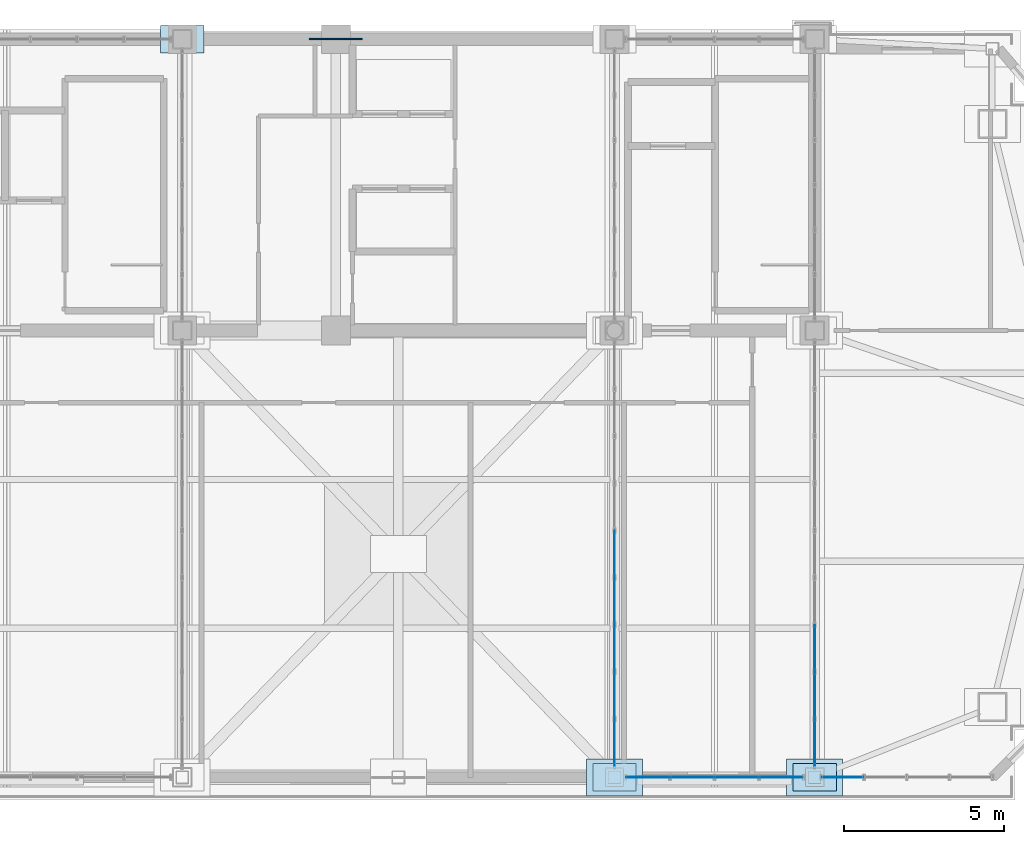
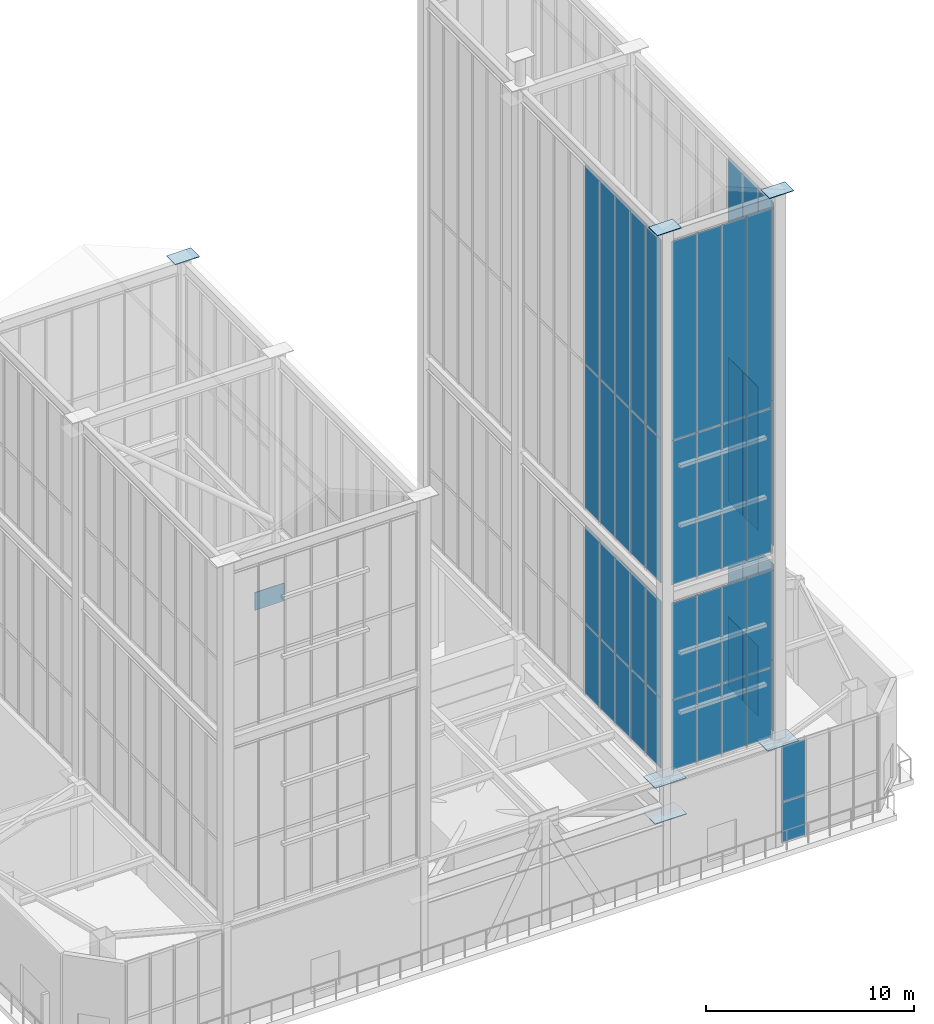
# One storey, part 127 of 135: 57 plates, 7 elements without a shape of their own.
"""IFC4 building model written with IfcOpenShell, lengths in metres."""

import ifcopenshell
import ifcopenshell.guid

model = None  # the IFC model being written
_history = None  # IfcOwnerHistory: only IFC2X3 demands one
_inside = {}  # id of a spatial element -> (the spatial element, [elements in it])
_under = {}  # id of a project, library or spatial element -> (it, [spatial elements below it])
_declared = {}  # id of a project -> (the project, [libraries it declares])
_typed = {}  # id of a type object -> (the type object, [elements of that type])
_made_of = {}  # id of a material, layer set ... -> (it, [elements and type objects made of it])


def new_model(schema):
    """Start an empty IFC model of exactly this schema.

    Asked for "IFC4X3", IfcOpenShell would pick the latest addendum, in which some entities
    have other attributes; the version numbers below select the first issue.
    IFC2X3 requires an IfcOwnerHistory on every rooted entity: one is made here for all.
    """
    global model, _history
    if schema == "IFC4X3":
        model = ifcopenshell.file(schema_version=(4, 3, 0, 0))
    else:
        model = ifcopenshell.file(schema=schema)
    _inside.clear()
    _under.clear()
    _declared.clear()
    _typed.clear()
    _made_of.clear()
    _history = None
    if model.schema == "IFC2X3":
        org = make("IfcOrganization", Name="unknown")
        user = make(
            "IfcPersonAndOrganization",
            ThePerson=make("IfcPerson", FamilyName="unknown"),
            TheOrganization=org,
        )
        app = make(
            "IfcApplication",
            ApplicationDeveloper=org,
            Version="unknown",
            ApplicationFullName="unknown",
            ApplicationIdentifier="unknown",
        )
        _history = make(
            "IfcOwnerHistory",
            OwningUser=user,
            OwningApplication=app,
            ChangeAction="ADDED",
            CreationDate=0,
        )
    return model


def make(cls, **values):
    """One entity of the class cls with the attributes given. An attribute that is None is left unset."""
    return model.create_entity(
        cls, **{name: value for name, value in values.items() if value is not None}
    )


def rooted(cls, **values):
    """An entity with a GlobalId (a new one), such as an element, a storey or a relation."""
    return make(cls, GlobalId=ifcopenshell.guid.new(), OwnerHistory=_history, **values)


def si_unit(unit_type, name, prefix=None):
    """IfcSIUnit, for example si_unit("LENGTHUNIT", "METRE", prefix="MILLI")."""
    return make("IfcSIUnit", UnitType=unit_type, Prefix=prefix, Name=name)


def assignment(units):
    """IfcUnitAssignment: the units of a project."""
    return None if units is None else make("IfcUnitAssignment", Units=units)


def point(xyz):
    """IfcCartesianPoint."""
    return None if xyz is None else make("IfcCartesianPoint", Coordinates=xyz)


def direction(xyz):
    """IfcDirection."""
    return None if xyz is None else make("IfcDirection", DirectionRatios=xyz)


def frame(location, z_axis=None, x_axis=None):
    """IfcAxis2Placement3D, a coordinate frame: its origin and axes. An axis left out is left unset."""
    return make(
        "IfcAxis2Placement3D",
        Location=point(location),
        Axis=direction(z_axis),
        RefDirection=direction(x_axis),
    )


def frame_2d(location, x_axis=None):
    """IfcAxis2Placement2D, a coordinate frame in the plane: its origin and x axis."""
    return make(
        "IfcAxis2Placement2D", Location=point(location), RefDirection=direction(x_axis)
    )


def origin():
    """The frame at (0, 0, 0) with its axes left unset."""
    return frame((0.0, 0.0, 0.0))


def origin_2d():
    """The frame at (0, 0) in the plane with its x axis left unset."""
    return frame_2d((0.0, 0.0))


def place(relative_to, where):
    """IfcLocalPlacement: puts the frame where relative to a parent placement (None: the world)."""
    return make(
        "IfcLocalPlacement", PlacementRelTo=relative_to, RelativePlacement=where
    )


def context(
    kind, dimensions, precision=None, world=None, true_north=None, identifier=None
):
    """IfcGeometricRepresentationContext, for example the 3D "Model" context."""
    return make(
        "IfcGeometricRepresentationContext",
        ContextIdentifier=identifier,
        ContextType=kind,
        CoordinateSpaceDimension=dimensions,
        Precision=precision,
        WorldCoordinateSystem=world,
        TrueNorth=true_north,
    )


def subcontext(parent, identifier, kind, view, scale=None):
    """IfcGeometricRepresentationSubContext, for example "Body" below "Model"."""
    return make(
        "IfcGeometricRepresentationSubContext",
        ContextIdentifier=identifier,
        ContextType=kind,
        ParentContext=parent,
        TargetScale=scale,
        TargetView=view,
    )


def project(units=None, contexts=None):
    """IfcProject with its units and contexts."""
    return rooted(
        "IfcProject",
        Name="project",
        RepresentationContexts=contexts,
        UnitsInContext=assignment(units),
    )


def spatial(cls, under=None, at=None, **own):
    """A site, building, storey or space (cls), placed at a placement, below another one or the project."""
    s = rooted(cls, ObjectPlacement=at, **own)
    if under is not None:
        _under.setdefault(under.id(), (under, []))[1].append(s)
    return s


def profile(cls, at=None, kind="AREA", **sizes):
    """A parametric profile (cls). Its sizes go by their IFC names, for example OverallWidth=200.0."""
    return make(cls, ProfileType=kind, Position=at, **sizes)


def rectangle(**sizes):
    """IfcRectangleProfileDef."""
    return profile("IfcRectangleProfileDef", **sizes)


def extrude(swept, where, along, depth):
    """IfcExtrudedAreaSolid: the profile swept, set in the frame where, extruded along a direction by depth."""
    return make(
        "IfcExtrudedAreaSolid",
        SweptArea=swept,
        Position=where,
        ExtrudedDirection=direction(along),
        Depth=depth,
    )


def shape(context_of_items, identifier, shape_type, items):
    """IfcShapeRepresentation: the items that make up one representation, for example the "Body"."""
    return make(
        "IfcShapeRepresentation",
        ContextOfItems=context_of_items,
        RepresentationIdentifier=identifier,
        RepresentationType=shape_type,
        Items=items,
    )


def source(mapping_origin, context_of_items, identifier, shape_type, items):
    """IfcRepresentationMap: a shape defined once, which mapped items show again and again."""
    return make(
        "IfcRepresentationMap",
        MappingOrigin=mapping_origin,
        MappedRepresentation=shape(context_of_items, identifier, shape_type, items),
    )


def transform(
    local_origin,
    x_axis=None,
    y_axis=None,
    z_axis=None,
    scale=None,
    scale2=None,
    scale3=None,
    uniform=True,
):
    """IfcCartesianTransformationOperator3D, or its non-uniform kind. x_axis, y_axis, z_axis: its Axis1, 2, 3."""
    if uniform:
        return make(
            "IfcCartesianTransformationOperator3D",
            Axis1=direction(x_axis),
            Axis2=direction(y_axis),
            LocalOrigin=point(local_origin),
            Scale=scale,
            Axis3=direction(z_axis),
        )
    return make(
        "IfcCartesianTransformationOperator3DnonUniform",
        Axis1=direction(x_axis),
        Axis2=direction(y_axis),
        LocalOrigin=point(local_origin),
        Scale=scale,
        Axis3=direction(z_axis),
        Scale2=scale2,
        Scale3=scale3,
    )


def mapped(mapping_source, mapping_target):
    """IfcMappedItem: shows the shape of a source again, moved by a transform."""
    return make(
        "IfcMappedItem", MappingSource=mapping_source, MappingTarget=mapping_target
    )


def material(Name=None, Category=None):
    """IfcMaterial."""
    return make("IfcMaterial", Name=Name, Category=Category)


def layer(
    of_material, thickness, ventilated=None, Name=None, Category=None, Priority=None
):
    """IfcMaterialLayer: one layer of a wall or slab, of a material (None: an air gap)."""
    return make(
        "IfcMaterialLayer",
        Material=of_material,
        LayerThickness=thickness,
        IsVentilated=ventilated,
        Name=Name,
        Category=Category,
        Priority=Priority,
    )


def layer_set(layers, Name=None):
    """IfcMaterialLayerSet."""
    return make("IfcMaterialLayerSet", MaterialLayers=layers, LayerSetName=Name)


def made_of(thing, what):
    """Note that an element or type object is made of a material, layer set ...; save() writes the relation."""
    if what is not None:
        _made_of.setdefault(what.id(), (what, []))[1].append(thing)
    return thing


def type_object(cls, material=None, **own):
    """A type object (cls), such as IfcWallType, which elements share."""
    return made_of(rooted(cls, **own), material)


def element(
    cls,
    number,
    at=None,
    inside=None,
    cuts=None,
    type_object=None,
    material=None,
    context=None,
    identifier="Body",
    shape_type=None,
    held_by="IfcProductDefinitionShape",
    body=None,
    shapes=None,
    **own,
):
    """One element of the class cls, such as IfcWall. Its Tag is "e" and its number.

    at: its placement. inside: the storey or other place that contains it. cuts: it is an
    opening in that element (IfcRelVoidsElement). A single representation is given by context,
    identifier, shape_type and body (its items); several are given by shapes. held_by: the class
    of the entity that holds the representations. save() writes the other relations.
    """
    e = rooted(cls, Tag="e%d" % number, ObjectPlacement=at, **own)
    if body is not None:
        shapes = [shape(context, identifier, shape_type, body)]
    if shapes is not None:
        e.Representation = make(held_by, Representations=shapes)
    if inside is not None:
        _inside.setdefault(inside.id(), (inside, []))[1].append(e)
    if cuts is not None:
        rooted(
            "IfcRelVoidsElement", RelatingBuildingElement=cuts, RelatedOpeningElement=e
        )
    if type_object is not None:
        _typed.setdefault(type_object.id(), (type_object, []))[1].append(e)
    return made_of(e, material)


def aggregate(whole, parts):
    """IfcRelAggregates: a whole, such as a stair, and the parts it consists of."""
    return rooted("IfcRelAggregates", RelatingObject=whole, RelatedObjects=parts)


def save(model, path):
    """Write the relations noted so far, then the file.

    IfcRelAggregates (storeys below a building ...), IfcRelContainedInSpatialStructure (elements
    in a storey), IfcRelDefinesByType, IfcRelAssociatesMaterial and IfcRelDeclares: one each for
    every whole, place, type object, material and project.
    """
    for whole, parts in _under.values():
        aggregate(whole, parts)
    for where, things in _inside.values():
        rooted(
            "IfcRelContainedInSpatialStructure",
            RelatedElements=things,
            RelatingStructure=where,
        )
    for kind, things in _typed.values():
        rooted("IfcRelDefinesByType", RelatedObjects=things, RelatingType=kind)
    for what, things in _made_of.values():
        rooted("IfcRelAssociatesMaterial", RelatedObjects=things, RelatingMaterial=what)
    for by, libraries in _declared.values():
        rooted("IfcRelDeclares", RelatingContext=by, RelatedDefinitions=libraries)
    model.write(path)


model = new_model("IFC4")

# Units and contexts
model_context = context("Model", 3, precision=1e-05, world=origin(), true_north=direction((0.0, 1.0)))
body_context = subcontext(model_context, "Body", "Model", "MODEL_VIEW")
ifc_project = project(units=[si_unit("LENGTHUNIT", "METRE"), si_unit("AREAUNIT", "SQUARE_METRE"), si_unit("VOLUMEUNIT", "CUBIC_METRE"), si_unit("PLANEANGLEUNIT", "RADIAN"), si_unit("MASSUNIT", "GRAM", prefix="KILO")], contexts=[model_context])

# Site, building, storey
site_placement = place(None, origin())
site = spatial("IfcSite", under=ifc_project, at=site_placement, CompositionType="ELEMENT")
building_placement = place(site_placement, origin())
building = spatial("IfcBuilding", under=site, at=building_placement, Name="Giltprow Tower", CompositionType="ELEMENT")
storey_placement = place(building_placement, frame((0.0, 0.0, 352.699951171875)))
storey = spatial("IfcBuildingStorey", under=building, at=storey_placement, Name="L92", CompositionType="ELEMENT", Elevation=352.699951171875)

# Plates
ifc_material_1 = material(Name="Structural steel Q420GJC", Category="steel")
plate_type_1 = type_object("IfcPlateType", Name="PLT-CAP-SEAL-INT", PredefinedType="USERDEFINED", material=ifc_material_1)
shared_shape_1 = source(origin(), body_context, "Body", "SweptSolid", [
    extrude(rectangle(XDim=1.75, YDim=1.14990234375, at=origin_2d()), origin(), (0.0, 0.0, 1.0), 0.0400390625),
])
for number, where, z_axis, x_axis, name in (
    (1, (44.300048828125, 23.5, 6.14013671875), (0.0, 0.0, 1.0), (1.0, 0.0, 0.0), "L92 Column Top Seal Plate S3"),
    (2, (50.550048828125, 23.5, 6.14013671875), (0.0, 0.0, 1.0), (1.0, 0.0, 0.0), "L92 Column Top Seal Plate S4"),
    (3, (44.300048828125, 23.5, 4.030029296875), (0.0, 0.0, 1.0), (1.0, 0.0, 0.0), "TMD Strut Upper Seal 2"),
):
    element("IfcPlate", number, at=place(storey_placement, frame(where, z_axis=z_axis, x_axis=x_axis)), inside=storey, type_object=plate_type_1, Name=name, ObjectType="SPLICE", PredefinedType="USERDEFINED", context=body_context, shape_type="MappedRepresentation", body=[
        mapped(shared_shape_1, transform((0.0, 0.0, 0.0), x_axis=(1.0, 0.0, 0.0), y_axis=(0.0, 1.0, 0.0), z_axis=(0.0, 0.0, 1.0), scale=1.0)),
    ])
plate_type_2 = type_object("IfcPlateType", Name="PLT-NODE-MBN2", PredefinedType="USERDEFINED", material=ifc_material_1)
shared_shape_2 = source(origin(), body_context, "Body", "SweptSolid", [
    extrude(rectangle(XDim=1.64990234375, YDim=0.044921875, at=origin_2d()), origin(), (0.0, 0.0, 1.0), 1.050048828125),
])
plate_1_placement = place(storey_placement, frame((35.60009765625, 46.550048828125, 5.3349609375), z_axis=(0.0, 0.0, 1.0), x_axis=(1.0, 0.0, 0.0)))
element("IfcPlate", 4, at=plate_1_placement, inside=storey, type_object=plate_type_2, Name="Mega-Brace Node L92-N-LB", ObjectType="GUSSET", PredefinedType="USERDEFINED", context=body_context, shape_type="MappedRepresentation", body=[
    mapped(shared_shape_2, transform((0.0, 0.0, 0.0), x_axis=(1.0, 0.0, 0.0), y_axis=(0.0, 1.0, 0.0), z_axis=(0.0, 0.0, 1.0), scale=1.0)),
])
plate_type_3 = type_object("IfcPlateType", Name="PLT-NODE-CRN1", PredefinedType="USERDEFINED", material=ifc_material_1)
shared_shape_3 = source(origin(), body_context, "Body", "SweptSolid", [
    extrude(rectangle(XDim=1.35009765625, YDim=0.85009765625, at=origin_2d()), origin(), (0.0, 0.0, 1.0), 0.035888671875),
])
for number, where, z_axis, x_axis, name in (
    (5, (30.800048828125, 46.550048828125, 27.529296875), (0.0, 0.0, 1.0), (1.0, 0.0, 0.0), "CRN1 Crown Frame Ring Node WEST-4"),
    (6, (44.300048828125, 23.5, 38.47802734375), (0.0, 0.0, 1.0), (1.0, 0.0, 0.0), "CRN1 Crown Frame Ring Node EAST-1"),
    (7, (50.550048828125, 23.5, 38.47802734375), (0.0, 0.0, 1.0), (1.0, 0.0, 0.0), "CRN1 Crown Frame Ring Node EAST-2"),
):
    element("IfcPlate", number, at=place(storey_placement, frame(where, z_axis=z_axis, x_axis=x_axis)), inside=storey, type_object=plate_type_3, Name=name, ObjectType="SPLICE", PredefinedType="USERDEFINED", context=body_context, shape_type="MappedRepresentation", body=[
        mapped(shared_shape_3, transform((0.0, 0.0, 0.0), x_axis=(1.0, 0.0, 0.0), y_axis=(0.0, 1.0, 0.0), z_axis=(0.0, 0.0, 1.0), scale=1.0)),
    ])

# Curtain wall, plates
ifc_material_2 = material(Name="Anodized bronze", Category="metal")
ifc_layer = layer(ifc_material_2, 0.179931640625, Name="Anodized bronze")
ifc_layer_set = layer_set([ifc_layer], Name="Anodized bronze")
curtain_wall_type = type_object("IfcCurtainWallType", Name="CW-CROWN-LANTERN", PredefinedType="NOTDEFINED", material=ifc_layer_set)
curtain_wall_1_placement = place(storey_placement, origin())
curtain_wall_1 = element("IfcCurtainWall", 8, at=curtain_wall_1_placement, inside=storey, type_object=curtain_wall_type, Name="L92 South Recessed Curtain Wall 6", PredefinedType="NOTDEFINED")
ifc_material_3 = material(Name="Insulated glass", Category="glass")
plate_type_4 = type_object("IfcPlateType", Name="CW-PANEL-IGU-28", PredefinedType="CURTAIN_PANEL", material=ifc_material_3)
shared_shape_4 = source(origin(), body_context, "Body", "SweptSolid", [
    extrude(rectangle(XDim=1.30810546875, YDim=0.028076171875, at=origin_2d()), origin(), (0.0, 0.0, 1.0), 2.364013671875),
])
plate_2_placement = place(storey_placement, frame((51.4189453125, 23.5, 0.05419921875), z_axis=(0.0, 0.0, 1.0), x_axis=(1.0, 0.0, 0.0)))
plate_2 = element("IfcPlate", 9, at=plate_2_placement, type_object=plate_type_4, Name="L92 South Recessed Curtain Wall 6 Glazing Panel 1-1", PredefinedType="CURTAIN_PANEL", context=body_context, shape_type="MappedRepresentation", body=[
    mapped(shared_shape_4, transform((0.0, 0.0, 0.0), x_axis=(1.0, 0.0, 0.0), y_axis=(0.0, 1.0, 0.0), z_axis=(0.0, 0.0, 1.0), scale=1.0)),
])
shared_shape_5 = source(origin(), body_context, "Body", "SweptSolid", [
    extrude(rectangle(XDim=1.30810546875, YDim=0.028076171875, at=origin_2d()), origin(), (0.0, 0.0, 1.0), 3.2900390625),
])
plate_3_placement = place(storey_placement, frame((51.4189453125, 23.5, 2.446044921875), z_axis=(0.0, 0.0, 1.0), x_axis=(1.0, 0.0, 0.0)))
plate_3 = element("IfcPlate", 10, at=plate_3_placement, type_object=plate_type_4, Name="L92 South Recessed Curtain Wall 6 Glazing Panel 1-2", PredefinedType="CURTAIN_PANEL", context=body_context, shape_type="MappedRepresentation", body=[
    mapped(shared_shape_5, transform((0.0, 0.0, 0.0), x_axis=(1.0, 0.0, 0.0), y_axis=(0.0, 1.0, 0.0), z_axis=(0.0, 0.0, 1.0), scale=1.0)),
])
aggregate(curtain_wall_1, [plate_2, plate_3])

curtain_wall_2_placement = place(storey_placement, origin())
curtain_wall_2 = element("IfcCurtainWall", 11, at=curtain_wall_2_placement, inside=storey, type_object=curtain_wall_type, Name="Crown East Lower Lantern Glazing 2", PredefinedType="NOTDEFINED")
shared_shape_6 = source(origin(), body_context, "Body", "SweptSolid", [
    extrude(rectangle(XDim=1.44189453125, YDim=0.028076171875, at=origin_2d()), origin(), (0.0, 0.0, 1.0), 4.111083984375),
])
plate_4_placement = place(storey_placement, frame((50.550048828125, 24.5859375, 6.45361328125), z_axis=(0.0, 0.0, 1.0), x_axis=(0.0, 1.0, 0.0)))
plate_4 = element("IfcPlate", 12, at=plate_4_placement, type_object=plate_type_4, Name="Crown East Lower Lantern Glazing 2 Glazing Panel 1-1", PredefinedType="CURTAIN_PANEL", context=body_context, shape_type="MappedRepresentation", body=[
    mapped(shared_shape_6, transform((0.0, 0.0, 0.0), x_axis=(1.0, 0.0, 0.0), y_axis=(0.0, 1.0, 0.0), z_axis=(0.0, 0.0, 1.0), scale=1.0)),
])
plate_5_placement = place(storey_placement, frame((50.550048828125, 26.05810546875, 6.45361328125), z_axis=(0.0, 0.0, 1.0), x_axis=(0.0, 1.0, 0.0)))
plate_5 = element("IfcPlate", 13, at=plate_5_placement, type_object=plate_type_4, Name="Crown East Lower Lantern Glazing 2 Glazing Panel 2-1", PredefinedType="CURTAIN_PANEL", context=body_context, shape_type="MappedRepresentation", body=[
    mapped(shared_shape_6, transform((0.0, 0.0, 0.0), x_axis=(1.0, 0.0, 0.0), y_axis=(0.0, 1.0, 0.0), z_axis=(0.0, 0.0, 1.0), scale=1.0)),
])
plate_6_placement = place(storey_placement, frame((50.550048828125, 27.531005859375, 6.45361328125), z_axis=(0.0, 0.0, 1.0), x_axis=(0.0, 1.0, 0.0)))
plate_6 = element("IfcPlate", 14, at=plate_6_placement, type_object=plate_type_4, Name="Crown East Lower Lantern Glazing 2 Glazing Panel 3-1", PredefinedType="CURTAIN_PANEL", context=body_context, shape_type="MappedRepresentation", body=[
    mapped(shared_shape_6, transform((0.0, 0.0, 0.0), x_axis=(1.0, 0.0, 0.0), y_axis=(0.0, 1.0, 0.0), z_axis=(0.0, 0.0, 1.0), scale=1.0)),
])

curtain_wall_3_placement = place(storey_placement, origin())
curtain_wall_3 = element("IfcCurtainWall", 15, at=curtain_wall_3_placement, inside=storey, type_object=curtain_wall_type, Name="Crown East Lower Lantern Glazing 6", PredefinedType="NOTDEFINED")
plate_7_placement = place(storey_placement, frame((44.300048828125, 30.47509765625, 6.45361328125), z_axis=(0.0, 0.0, 1.0), x_axis=(0.0, -1.0, 0.0)))
plate_7 = element("IfcPlate", 16, at=plate_7_placement, type_object=plate_type_4, Name="Crown East Lower Lantern Glazing 6 Glazing Panel 5-1", PredefinedType="CURTAIN_PANEL", context=body_context, shape_type="MappedRepresentation", body=[
    mapped(shared_shape_6, transform((0.0, 0.0, 0.0), x_axis=(1.0, 0.0, 0.0), y_axis=(0.0, 1.0, 0.0), z_axis=(0.0, 0.0, 1.0), scale=1.0)),
])
plate_8_placement = place(storey_placement, frame((44.300048828125, 29.0029296875, 6.45361328125), z_axis=(0.0, 0.0, 1.0), x_axis=(0.0, -1.0, 0.0)))
plate_8 = element("IfcPlate", 17, at=plate_8_placement, type_object=plate_type_4, Name="Crown East Lower Lantern Glazing 6 Glazing Panel 6-1", PredefinedType="CURTAIN_PANEL", context=body_context, shape_type="MappedRepresentation", body=[
    mapped(shared_shape_6, transform((0.0, 0.0, 0.0), x_axis=(1.0, 0.0, 0.0), y_axis=(0.0, 1.0, 0.0), z_axis=(0.0, 0.0, 1.0), scale=1.0)),
])
plate_9_placement = place(storey_placement, frame((44.300048828125, 27.531005859375, 6.45361328125), z_axis=(0.0, 0.0, 1.0), x_axis=(0.0, -1.0, 0.0)))
plate_9 = element("IfcPlate", 18, at=plate_9_placement, type_object=plate_type_4, Name="Crown East Lower Lantern Glazing 6 Glazing Panel 7-1", PredefinedType="CURTAIN_PANEL", context=body_context, shape_type="MappedRepresentation", body=[
    mapped(shared_shape_6, transform((0.0, 0.0, 0.0), x_axis=(1.0, 0.0, 0.0), y_axis=(0.0, 1.0, 0.0), z_axis=(0.0, 0.0, 1.0), scale=1.0)),
])
plate_10_placement = place(storey_placement, frame((44.300048828125, 26.05810546875, 6.45361328125), z_axis=(0.0, 0.0, 1.0), x_axis=(0.0, -1.0, 0.0)))
plate_10 = element("IfcPlate", 19, at=plate_10_placement, type_object=plate_type_4, Name="Crown East Lower Lantern Glazing 6 Glazing Panel 8-1", PredefinedType="CURTAIN_PANEL", context=body_context, shape_type="MappedRepresentation", body=[
    mapped(shared_shape_6, transform((0.0, 0.0, 0.0), x_axis=(1.0, 0.0, 0.0), y_axis=(0.0, 1.0, 0.0), z_axis=(0.0, 0.0, 1.0), scale=1.0)),
])
plate_11_placement = place(storey_placement, frame((44.300048828125, 24.5859375, 6.45361328125), z_axis=(0.0, 0.0, 1.0), x_axis=(0.0, -1.0, 0.0)))
plate_11 = element("IfcPlate", 20, at=plate_11_placement, type_object=plate_type_4, Name="Crown East Lower Lantern Glazing 6 Glazing Panel 9-1", PredefinedType="CURTAIN_PANEL", context=body_context, shape_type="MappedRepresentation", body=[
    mapped(shared_shape_6, transform((0.0, 0.0, 0.0), x_axis=(1.0, 0.0, 0.0), y_axis=(0.0, 1.0, 0.0), z_axis=(0.0, 0.0, 1.0), scale=1.0)),
])

# Plate
shared_shape_7 = source(origin(), body_context, "Body", "SweptSolid", [
    extrude(rectangle(XDim=1.44189453125, YDim=0.028076171875, at=origin_2d()), origin(), (0.0, 0.0, 1.0), 5.702880859375),
])
plate_12_placement = place(storey_placement, frame((50.550048828125, 24.5859375, 10.5927734375), z_axis=(0.0, 0.0, 1.0), x_axis=(0.0, 1.0, 0.0)))
plate_12 = element("IfcPlate", 21, at=plate_12_placement, type_object=plate_type_4, Name="Crown East Lower Lantern Glazing 2 Glazing Panel 1-2", PredefinedType="CURTAIN_PANEL", context=body_context, shape_type="MappedRepresentation", body=[
    mapped(shared_shape_7, transform((0.0, 0.0, 0.0), x_axis=(1.0, 0.0, 0.0), y_axis=(0.0, 1.0, 0.0), z_axis=(0.0, 0.0, 1.0), scale=1.0)),
])

plate_13_placement = place(storey_placement, frame((50.550048828125, 26.05810546875, 10.5927734375), z_axis=(0.0, 0.0, 1.0), x_axis=(0.0, 1.0, 0.0)))
plate_13 = element("IfcPlate", 22, at=plate_13_placement, type_object=plate_type_4, Name="Crown East Lower Lantern Glazing 2 Glazing Panel 2-2", PredefinedType="CURTAIN_PANEL", context=body_context, shape_type="MappedRepresentation", body=[
    mapped(shared_shape_7, transform((0.0, 0.0, 0.0), x_axis=(1.0, 0.0, 0.0), y_axis=(0.0, 1.0, 0.0), z_axis=(0.0, 0.0, 1.0), scale=1.0)),
])

plate_14_placement = place(storey_placement, frame((50.550048828125, 27.531005859375, 10.5927734375), z_axis=(0.0, 0.0, 1.0), x_axis=(0.0, 1.0, 0.0)))
plate_14 = element("IfcPlate", 23, at=plate_14_placement, type_object=plate_type_4, Name="Crown East Lower Lantern Glazing 2 Glazing Panel 3-2", PredefinedType="CURTAIN_PANEL", context=body_context, shape_type="MappedRepresentation", body=[
    mapped(shared_shape_7, transform((0.0, 0.0, 0.0), x_axis=(1.0, 0.0, 0.0), y_axis=(0.0, 1.0, 0.0), z_axis=(0.0, 0.0, 1.0), scale=1.0)),
])

aggregate(curtain_wall_2, [plate_4, plate_12, plate_5, plate_13, plate_6, plate_14])

plate_15_placement = place(storey_placement, frame((44.300048828125, 30.47509765625, 10.5927734375), z_axis=(0.0, 0.0, 1.0), x_axis=(0.0, -1.0, 0.0)))
plate_15 = element("IfcPlate", 24, at=plate_15_placement, type_object=plate_type_4, Name="Crown East Lower Lantern Glazing 6 Glazing Panel 5-2", PredefinedType="CURTAIN_PANEL", context=body_context, shape_type="MappedRepresentation", body=[
    mapped(shared_shape_7, transform((0.0, 0.0, 0.0), x_axis=(1.0, 0.0, 0.0), y_axis=(0.0, 1.0, 0.0), z_axis=(0.0, 0.0, 1.0), scale=1.0)),
])

plate_16_placement = place(storey_placement, frame((44.300048828125, 29.0029296875, 10.5927734375), z_axis=(0.0, 0.0, 1.0), x_axis=(0.0, -1.0, 0.0)))
plate_16 = element("IfcPlate", 25, at=plate_16_placement, type_object=plate_type_4, Name="Crown East Lower Lantern Glazing 6 Glazing Panel 6-2", PredefinedType="CURTAIN_PANEL", context=body_context, shape_type="MappedRepresentation", body=[
    mapped(shared_shape_7, transform((0.0, 0.0, 0.0), x_axis=(1.0, 0.0, 0.0), y_axis=(0.0, 1.0, 0.0), z_axis=(0.0, 0.0, 1.0), scale=1.0)),
])

plate_17_placement = place(storey_placement, frame((44.300048828125, 27.531005859375, 10.5927734375), z_axis=(0.0, 0.0, 1.0), x_axis=(0.0, -1.0, 0.0)))
plate_17 = element("IfcPlate", 26, at=plate_17_placement, type_object=plate_type_4, Name="Crown East Lower Lantern Glazing 6 Glazing Panel 7-2", PredefinedType="CURTAIN_PANEL", context=body_context, shape_type="MappedRepresentation", body=[
    mapped(shared_shape_7, transform((0.0, 0.0, 0.0), x_axis=(1.0, 0.0, 0.0), y_axis=(0.0, 1.0, 0.0), z_axis=(0.0, 0.0, 1.0), scale=1.0)),
])

plate_18_placement = place(storey_placement, frame((44.300048828125, 26.05810546875, 10.5927734375), z_axis=(0.0, 0.0, 1.0), x_axis=(0.0, -1.0, 0.0)))
plate_18 = element("IfcPlate", 27, at=plate_18_placement, type_object=plate_type_4, Name="Crown East Lower Lantern Glazing 6 Glazing Panel 8-2", PredefinedType="CURTAIN_PANEL", context=body_context, shape_type="MappedRepresentation", body=[
    mapped(shared_shape_7, transform((0.0, 0.0, 0.0), x_axis=(1.0, 0.0, 0.0), y_axis=(0.0, 1.0, 0.0), z_axis=(0.0, 0.0, 1.0), scale=1.0)),
])

plate_19_placement = place(storey_placement, frame((44.300048828125, 24.5859375, 10.5927734375), z_axis=(0.0, 0.0, 1.0), x_axis=(0.0, -1.0, 0.0)))
plate_19 = element("IfcPlate", 28, at=plate_19_placement, type_object=plate_type_4, Name="Crown East Lower Lantern Glazing 6 Glazing Panel 9-2", PredefinedType="CURTAIN_PANEL", context=body_context, shape_type="MappedRepresentation", body=[
    mapped(shared_shape_7, transform((0.0, 0.0, 0.0), x_axis=(1.0, 0.0, 0.0), y_axis=(0.0, 1.0, 0.0), z_axis=(0.0, 0.0, 1.0), scale=1.0)),
])

aggregate(curtain_wall_3, [plate_7, plate_15, plate_8, plate_16, plate_9, plate_17, plate_10, plate_18, plate_11, plate_19])

# Curtain wall, plates
curtain_wall_4_placement = place(storey_placement, origin())
curtain_wall_4 = element("IfcCurtainWall", 29, at=curtain_wall_4_placement, inside=storey, type_object=curtain_wall_type, Name="Crown East Lower Lantern Glazing 1", PredefinedType="NOTDEFINED")
shared_shape_8 = source(origin(), body_context, "Body", "SweptSolid", [
    extrude(rectangle(XDim=1.35791015625, YDim=0.028076171875, at=origin_2d()), origin(), (0.0, 0.0, 1.0), 4.111083984375),
])
plate_20_placement = place(storey_placement, frame((45.343994140625, 23.5, 6.45361328125), z_axis=(0.0, 0.0, 1.0), x_axis=(1.0, 0.0, 0.0)))
plate_20 = element("IfcPlate", 30, at=plate_20_placement, type_object=plate_type_4, Name="Crown East Lower Lantern Glazing 1 Glazing Panel 1-1", PredefinedType="CURTAIN_PANEL", context=body_context, shape_type="MappedRepresentation", body=[
    mapped(shared_shape_8, transform((0.0, 0.0, 0.0), x_axis=(1.0, 0.0, 0.0), y_axis=(0.0, 1.0, 0.0), z_axis=(0.0, 0.0, 1.0), scale=1.0)),
])
plate_21_placement = place(storey_placement, frame((46.73095703125, 23.5, 6.45361328125), z_axis=(0.0, 0.0, 1.0), x_axis=(1.0, 0.0, 0.0)))
plate_21 = element("IfcPlate", 31, at=plate_21_placement, type_object=plate_type_4, Name="Crown East Lower Lantern Glazing 1 Glazing Panel 2-1", PredefinedType="CURTAIN_PANEL", context=body_context, shape_type="MappedRepresentation", body=[
    mapped(shared_shape_8, transform((0.0, 0.0, 0.0), x_axis=(1.0, 0.0, 0.0), y_axis=(0.0, 1.0, 0.0), z_axis=(0.0, 0.0, 1.0), scale=1.0)),
])
plate_22_placement = place(storey_placement, frame((48.118896484375, 23.5, 6.45361328125), z_axis=(0.0, 0.0, 1.0), x_axis=(1.0, 0.0, 0.0)))
plate_22 = element("IfcPlate", 32, at=plate_22_placement, type_object=plate_type_4, Name="Crown East Lower Lantern Glazing 1 Glazing Panel 3-1", PredefinedType="CURTAIN_PANEL", context=body_context, shape_type="MappedRepresentation", body=[
    mapped(shared_shape_8, transform((0.0, 0.0, 0.0), x_axis=(1.0, 0.0, 0.0), y_axis=(0.0, 1.0, 0.0), z_axis=(0.0, 0.0, 1.0), scale=1.0)),
])
plate_23_placement = place(storey_placement, frame((49.506103515625, 23.5, 6.45361328125), z_axis=(0.0, 0.0, 1.0), x_axis=(1.0, 0.0, 0.0)))
plate_23 = element("IfcPlate", 33, at=plate_23_placement, type_object=plate_type_4, Name="Crown East Lower Lantern Glazing 1 Glazing Panel 4-1", PredefinedType="CURTAIN_PANEL", context=body_context, shape_type="MappedRepresentation", body=[
    mapped(shared_shape_8, transform((0.0, 0.0, 0.0), x_axis=(1.0, 0.0, 0.0), y_axis=(0.0, 1.0, 0.0), z_axis=(0.0, 0.0, 1.0), scale=1.0)),
])
shared_shape_9 = source(origin(), body_context, "Body", "SweptSolid", [
    extrude(rectangle(XDim=1.35791015625, YDim=0.028076171875, at=origin_2d()), origin(), (0.0, 0.0, 1.0), 5.702880859375),
])
plate_24_placement = place(storey_placement, frame((45.343994140625, 23.5, 10.5927734375), z_axis=(0.0, 0.0, 1.0), x_axis=(1.0, 0.0, 0.0)))
plate_24 = element("IfcPlate", 34, at=plate_24_placement, type_object=plate_type_4, Name="Crown East Lower Lantern Glazing 1 Glazing Panel 1-2", PredefinedType="CURTAIN_PANEL", context=body_context, shape_type="MappedRepresentation", body=[
    mapped(shared_shape_9, transform((0.0, 0.0, 0.0), x_axis=(1.0, 0.0, 0.0), y_axis=(0.0, 1.0, 0.0), z_axis=(0.0, 0.0, 1.0), scale=1.0)),
])
plate_25_placement = place(storey_placement, frame((46.73095703125, 23.5, 10.5927734375), z_axis=(0.0, 0.0, 1.0), x_axis=(1.0, 0.0, 0.0)))
plate_25 = element("IfcPlate", 35, at=plate_25_placement, type_object=plate_type_4, Name="Crown East Lower Lantern Glazing 1 Glazing Panel 2-2", PredefinedType="CURTAIN_PANEL", context=body_context, shape_type="MappedRepresentation", body=[
    mapped(shared_shape_9, transform((0.0, 0.0, 0.0), x_axis=(1.0, 0.0, 0.0), y_axis=(0.0, 1.0, 0.0), z_axis=(0.0, 0.0, 1.0), scale=1.0)),
])
plate_26_placement = place(storey_placement, frame((48.118896484375, 23.5, 10.5927734375), z_axis=(0.0, 0.0, 1.0), x_axis=(1.0, 0.0, 0.0)))
plate_26 = element("IfcPlate", 36, at=plate_26_placement, type_object=plate_type_4, Name="Crown East Lower Lantern Glazing 1 Glazing Panel 3-2", PredefinedType="CURTAIN_PANEL", context=body_context, shape_type="MappedRepresentation", body=[
    mapped(shared_shape_9, transform((0.0, 0.0, 0.0), x_axis=(1.0, 0.0, 0.0), y_axis=(0.0, 1.0, 0.0), z_axis=(0.0, 0.0, 1.0), scale=1.0)),
])
plate_27_placement = place(storey_placement, frame((49.506103515625, 23.5, 10.5927734375), z_axis=(0.0, 0.0, 1.0), x_axis=(1.0, 0.0, 0.0)))
plate_27 = element("IfcPlate", 37, at=plate_27_placement, type_object=plate_type_4, Name="Crown East Lower Lantern Glazing 1 Glazing Panel 4-2", PredefinedType="CURTAIN_PANEL", context=body_context, shape_type="MappedRepresentation", body=[
    mapped(shared_shape_9, transform((0.0, 0.0, 0.0), x_axis=(1.0, 0.0, 0.0), y_axis=(0.0, 1.0, 0.0), z_axis=(0.0, 0.0, 1.0), scale=1.0)),
])
aggregate(curtain_wall_4, [plate_20, plate_24, plate_21, plate_25, plate_22, plate_26, plate_23, plate_27])

curtain_wall_5_placement = place(storey_placement, origin())
curtain_wall_5 = element("IfcCurtainWall", 38, at=curtain_wall_5_placement, inside=storey, type_object=curtain_wall_type, Name="Crown East Upper Lantern Glazing 1", PredefinedType="NOTDEFINED")
shared_shape_10 = source(origin(), body_context, "Body", "SweptSolid", [
    extrude(rectangle(XDim=1.35791015625, YDim=0.028076171875, at=origin_2d()), origin(), (0.0, 0.0, 1.0), 8.465087890625),
])
plate_28_placement = place(storey_placement, frame((45.343994140625, 23.5, 17.3544921875), z_axis=(0.0, 0.0, 1.0), x_axis=(1.0, 0.0, 0.0)))
plate_28 = element("IfcPlate", 39, at=plate_28_placement, type_object=plate_type_4, Name="Crown East Upper Lantern Glazing 1 Glazing Panel 1-1", PredefinedType="CURTAIN_PANEL", context=body_context, shape_type="MappedRepresentation", body=[
    mapped(shared_shape_10, transform((0.0, 0.0, 0.0), x_axis=(1.0, 0.0, 0.0), y_axis=(0.0, 1.0, 0.0), z_axis=(0.0, 0.0, 1.0), scale=1.0)),
])
plate_29_placement = place(storey_placement, frame((46.73095703125, 23.5, 17.3544921875), z_axis=(0.0, 0.0, 1.0), x_axis=(1.0, 0.0, 0.0)))
plate_29 = element("IfcPlate", 40, at=plate_29_placement, type_object=plate_type_4, Name="Crown East Upper Lantern Glazing 1 Glazing Panel 2-1", PredefinedType="CURTAIN_PANEL", context=body_context, shape_type="MappedRepresentation", body=[
    mapped(shared_shape_10, transform((0.0, 0.0, 0.0), x_axis=(1.0, 0.0, 0.0), y_axis=(0.0, 1.0, 0.0), z_axis=(0.0, 0.0, 1.0), scale=1.0)),
])
plate_30_placement = place(storey_placement, frame((48.118896484375, 23.5, 17.3544921875), z_axis=(0.0, 0.0, 1.0), x_axis=(1.0, 0.0, 0.0)))
plate_30 = element("IfcPlate", 41, at=plate_30_placement, type_object=plate_type_4, Name="Crown East Upper Lantern Glazing 1 Glazing Panel 3-1", PredefinedType="CURTAIN_PANEL", context=body_context, shape_type="MappedRepresentation", body=[
    mapped(shared_shape_10, transform((0.0, 0.0, 0.0), x_axis=(1.0, 0.0, 0.0), y_axis=(0.0, 1.0, 0.0), z_axis=(0.0, 0.0, 1.0), scale=1.0)),
])
plate_31_placement = place(storey_placement, frame((49.506103515625, 23.5, 17.3544921875), z_axis=(0.0, 0.0, 1.0), x_axis=(1.0, 0.0, 0.0)))
plate_31 = element("IfcPlate", 42, at=plate_31_placement, type_object=plate_type_4, Name="Crown East Upper Lantern Glazing 1 Glazing Panel 4-1", PredefinedType="CURTAIN_PANEL", context=body_context, shape_type="MappedRepresentation", body=[
    mapped(shared_shape_10, transform((0.0, 0.0, 0.0), x_axis=(1.0, 0.0, 0.0), y_axis=(0.0, 1.0, 0.0), z_axis=(0.0, 0.0, 1.0), scale=1.0)),
])
shared_shape_11 = source(origin(), body_context, "Body", "SweptSolid", [
    extrude(rectangle(XDim=1.35791015625, YDim=0.028076171875, at=origin_2d()), origin(), (0.0, 0.0, 1.0), 11.715087890625),
])
plate_32_placement = place(storey_placement, frame((45.343994140625, 23.5, 25.8466796875), z_axis=(0.0, 0.0, 1.0), x_axis=(1.0, 0.0, 0.0)))
plate_32 = element("IfcPlate", 43, at=plate_32_placement, type_object=plate_type_4, Name="Crown East Upper Lantern Glazing 1 Glazing Panel 1-2", PredefinedType="CURTAIN_PANEL", context=body_context, shape_type="MappedRepresentation", body=[
    mapped(shared_shape_11, transform((0.0, 0.0, 0.0), x_axis=(1.0, 0.0, 0.0), y_axis=(0.0, 1.0, 0.0), z_axis=(0.0, 0.0, 1.0), scale=1.0)),
])
plate_33_placement = place(storey_placement, frame((46.73095703125, 23.5, 25.8466796875), z_axis=(0.0, 0.0, 1.0), x_axis=(1.0, 0.0, 0.0)))
plate_33 = element("IfcPlate", 44, at=plate_33_placement, type_object=plate_type_4, Name="Crown East Upper Lantern Glazing 1 Glazing Panel 2-2", PredefinedType="CURTAIN_PANEL", context=body_context, shape_type="MappedRepresentation", body=[
    mapped(shared_shape_11, transform((0.0, 0.0, 0.0), x_axis=(1.0, 0.0, 0.0), y_axis=(0.0, 1.0, 0.0), z_axis=(0.0, 0.0, 1.0), scale=1.0)),
])
plate_34_placement = place(storey_placement, frame((48.118896484375, 23.5, 25.8466796875), z_axis=(0.0, 0.0, 1.0), x_axis=(1.0, 0.0, 0.0)))
plate_34 = element("IfcPlate", 45, at=plate_34_placement, type_object=plate_type_4, Name="Crown East Upper Lantern Glazing 1 Glazing Panel 3-2", PredefinedType="CURTAIN_PANEL", context=body_context, shape_type="MappedRepresentation", body=[
    mapped(shared_shape_11, transform((0.0, 0.0, 0.0), x_axis=(1.0, 0.0, 0.0), y_axis=(0.0, 1.0, 0.0), z_axis=(0.0, 0.0, 1.0), scale=1.0)),
])
plate_35_placement = place(storey_placement, frame((49.506103515625, 23.5, 25.8466796875), z_axis=(0.0, 0.0, 1.0), x_axis=(1.0, 0.0, 0.0)))
plate_35 = element("IfcPlate", 46, at=plate_35_placement, type_object=plate_type_4, Name="Crown East Upper Lantern Glazing 1 Glazing Panel 4-2", PredefinedType="CURTAIN_PANEL", context=body_context, shape_type="MappedRepresentation", body=[
    mapped(shared_shape_11, transform((0.0, 0.0, 0.0), x_axis=(1.0, 0.0, 0.0), y_axis=(0.0, 1.0, 0.0), z_axis=(0.0, 0.0, 1.0), scale=1.0)),
])
aggregate(curtain_wall_5, [plate_28, plate_32, plate_29, plate_33, plate_30, plate_34, plate_31, plate_35])

curtain_wall_6_placement = place(storey_placement, origin())
curtain_wall_6 = element("IfcCurtainWall", 47, at=curtain_wall_6_placement, inside=storey, type_object=curtain_wall_type, Name="Crown East Upper Lantern Glazing 2", PredefinedType="NOTDEFINED")
shared_shape_12 = source(origin(), body_context, "Body", "SweptSolid", [
    extrude(rectangle(XDim=1.44189453125, YDim=0.028076171875, at=origin_2d()), origin(), (0.0, 0.0, 1.0), 8.465087890625),
])
plate_36_placement = place(storey_placement, frame((50.550048828125, 24.5859375, 17.3544921875), z_axis=(0.0, 0.0, 1.0), x_axis=(0.0, 1.0, 0.0)))
plate_36 = element("IfcPlate", 48, at=plate_36_placement, type_object=plate_type_4, Name="Crown East Upper Lantern Glazing 2 Glazing Panel 1-1", PredefinedType="CURTAIN_PANEL", context=body_context, shape_type="MappedRepresentation", body=[
    mapped(shared_shape_12, transform((0.0, 0.0, 0.0), x_axis=(1.0, 0.0, 0.0), y_axis=(0.0, 1.0, 0.0), z_axis=(0.0, 0.0, 1.0), scale=1.0)),
])
plate_37_placement = place(storey_placement, frame((50.550048828125, 26.05810546875, 17.3544921875), z_axis=(0.0, 0.0, 1.0), x_axis=(0.0, 1.0, 0.0)))
plate_37 = element("IfcPlate", 49, at=plate_37_placement, type_object=plate_type_4, Name="Crown East Upper Lantern Glazing 2 Glazing Panel 2-1", PredefinedType="CURTAIN_PANEL", context=body_context, shape_type="MappedRepresentation", body=[
    mapped(shared_shape_12, transform((0.0, 0.0, 0.0), x_axis=(1.0, 0.0, 0.0), y_axis=(0.0, 1.0, 0.0), z_axis=(0.0, 0.0, 1.0), scale=1.0)),
])
plate_38_placement = place(storey_placement, frame((50.550048828125, 27.531005859375, 17.3544921875), z_axis=(0.0, 0.0, 1.0), x_axis=(0.0, 1.0, 0.0)))
plate_38 = element("IfcPlate", 50, at=plate_38_placement, type_object=plate_type_4, Name="Crown East Upper Lantern Glazing 2 Glazing Panel 3-1", PredefinedType="CURTAIN_PANEL", context=body_context, shape_type="MappedRepresentation", body=[
    mapped(shared_shape_12, transform((0.0, 0.0, 0.0), x_axis=(1.0, 0.0, 0.0), y_axis=(0.0, 1.0, 0.0), z_axis=(0.0, 0.0, 1.0), scale=1.0)),
])

curtain_wall_7_placement = place(storey_placement, origin())
curtain_wall_7 = element("IfcCurtainWall", 51, at=curtain_wall_7_placement, inside=storey, type_object=curtain_wall_type, Name="Crown East Upper Lantern Glazing 6", PredefinedType="NOTDEFINED")
plate_39_placement = place(storey_placement, frame((44.300048828125, 30.47509765625, 17.3544921875), z_axis=(0.0, 0.0, 1.0), x_axis=(0.0, -1.0, 0.0)))
plate_39 = element("IfcPlate", 52, at=plate_39_placement, type_object=plate_type_4, Name="Crown East Upper Lantern Glazing 6 Glazing Panel 5-1", PredefinedType="CURTAIN_PANEL", context=body_context, shape_type="MappedRepresentation", body=[
    mapped(shared_shape_12, transform((0.0, 0.0, 0.0), x_axis=(1.0, 0.0, 0.0), y_axis=(0.0, 1.0, 0.0), z_axis=(0.0, 0.0, 1.0), scale=1.0)),
])
plate_40_placement = place(storey_placement, frame((44.300048828125, 29.0029296875, 17.3544921875), z_axis=(0.0, 0.0, 1.0), x_axis=(0.0, -1.0, 0.0)))
plate_40 = element("IfcPlate", 53, at=plate_40_placement, type_object=plate_type_4, Name="Crown East Upper Lantern Glazing 6 Glazing Panel 6-1", PredefinedType="CURTAIN_PANEL", context=body_context, shape_type="MappedRepresentation", body=[
    mapped(shared_shape_12, transform((0.0, 0.0, 0.0), x_axis=(1.0, 0.0, 0.0), y_axis=(0.0, 1.0, 0.0), z_axis=(0.0, 0.0, 1.0), scale=1.0)),
])
plate_41_placement = place(storey_placement, frame((44.300048828125, 27.531005859375, 17.3544921875), z_axis=(0.0, 0.0, 1.0), x_axis=(0.0, -1.0, 0.0)))
plate_41 = element("IfcPlate", 54, at=plate_41_placement, type_object=plate_type_4, Name="Crown East Upper Lantern Glazing 6 Glazing Panel 7-1", PredefinedType="CURTAIN_PANEL", context=body_context, shape_type="MappedRepresentation", body=[
    mapped(shared_shape_12, transform((0.0, 0.0, 0.0), x_axis=(1.0, 0.0, 0.0), y_axis=(0.0, 1.0, 0.0), z_axis=(0.0, 0.0, 1.0), scale=1.0)),
])
plate_42_placement = place(storey_placement, frame((44.300048828125, 26.05810546875, 17.3544921875), z_axis=(0.0, 0.0, 1.0), x_axis=(0.0, -1.0, 0.0)))
plate_42 = element("IfcPlate", 55, at=plate_42_placement, type_object=plate_type_4, Name="Crown East Upper Lantern Glazing 6 Glazing Panel 8-1", PredefinedType="CURTAIN_PANEL", context=body_context, shape_type="MappedRepresentation", body=[
    mapped(shared_shape_12, transform((0.0, 0.0, 0.0), x_axis=(1.0, 0.0, 0.0), y_axis=(0.0, 1.0, 0.0), z_axis=(0.0, 0.0, 1.0), scale=1.0)),
])
plate_43_placement = place(storey_placement, frame((44.300048828125, 24.5859375, 17.3544921875), z_axis=(0.0, 0.0, 1.0), x_axis=(0.0, -1.0, 0.0)))
plate_43 = element("IfcPlate", 56, at=plate_43_placement, type_object=plate_type_4, Name="Crown East Upper Lantern Glazing 6 Glazing Panel 9-1", PredefinedType="CURTAIN_PANEL", context=body_context, shape_type="MappedRepresentation", body=[
    mapped(shared_shape_12, transform((0.0, 0.0, 0.0), x_axis=(1.0, 0.0, 0.0), y_axis=(0.0, 1.0, 0.0), z_axis=(0.0, 0.0, 1.0), scale=1.0)),
])

# Plate
shared_shape_13 = source(origin(), body_context, "Body", "SweptSolid", [
    extrude(rectangle(XDim=1.44189453125, YDim=0.028076171875, at=origin_2d()), origin(), (0.0, 0.0, 1.0), 11.715087890625),
])
plate_44_placement = place(storey_placement, frame((50.550048828125, 24.5859375, 25.8466796875), z_axis=(0.0, 0.0, 1.0), x_axis=(0.0, 1.0, 0.0)))
plate_44 = element("IfcPlate", 57, at=plate_44_placement, type_object=plate_type_4, Name="Crown East Upper Lantern Glazing 2 Glazing Panel 1-2", PredefinedType="CURTAIN_PANEL", context=body_context, shape_type="MappedRepresentation", body=[
    mapped(shared_shape_13, transform((0.0, 0.0, 0.0), x_axis=(1.0, 0.0, 0.0), y_axis=(0.0, 1.0, 0.0), z_axis=(0.0, 0.0, 1.0), scale=1.0)),
])

plate_45_placement = place(storey_placement, frame((50.550048828125, 26.05810546875, 25.8466796875), z_axis=(0.0, 0.0, 1.0), x_axis=(0.0, 1.0, 0.0)))
plate_45 = element("IfcPlate", 58, at=plate_45_placement, type_object=plate_type_4, Name="Crown East Upper Lantern Glazing 2 Glazing Panel 2-2", PredefinedType="CURTAIN_PANEL", context=body_context, shape_type="MappedRepresentation", body=[
    mapped(shared_shape_13, transform((0.0, 0.0, 0.0), x_axis=(1.0, 0.0, 0.0), y_axis=(0.0, 1.0, 0.0), z_axis=(0.0, 0.0, 1.0), scale=1.0)),
])

plate_46_placement = place(storey_placement, frame((50.550048828125, 27.531005859375, 25.8466796875), z_axis=(0.0, 0.0, 1.0), x_axis=(0.0, 1.0, 0.0)))
plate_46 = element("IfcPlate", 59, at=plate_46_placement, type_object=plate_type_4, Name="Crown East Upper Lantern Glazing 2 Glazing Panel 3-2", PredefinedType="CURTAIN_PANEL", context=body_context, shape_type="MappedRepresentation", body=[
    mapped(shared_shape_13, transform((0.0, 0.0, 0.0), x_axis=(1.0, 0.0, 0.0), y_axis=(0.0, 1.0, 0.0), z_axis=(0.0, 0.0, 1.0), scale=1.0)),
])

aggregate(curtain_wall_6, [plate_36, plate_44, plate_37, plate_45, plate_38, plate_46])

plate_47_placement = place(storey_placement, frame((44.300048828125, 30.47509765625, 25.8466796875), z_axis=(0.0, 0.0, 1.0), x_axis=(0.0, -1.0, 0.0)))
plate_47 = element("IfcPlate", 60, at=plate_47_placement, type_object=plate_type_4, Name="Crown East Upper Lantern Glazing 6 Glazing Panel 5-2", PredefinedType="CURTAIN_PANEL", context=body_context, shape_type="MappedRepresentation", body=[
    mapped(shared_shape_13, transform((0.0, 0.0, 0.0), x_axis=(1.0, 0.0, 0.0), y_axis=(0.0, 1.0, 0.0), z_axis=(0.0, 0.0, 1.0), scale=1.0)),
])

plate_48_placement = place(storey_placement, frame((44.300048828125, 29.0029296875, 25.8466796875), z_axis=(0.0, 0.0, 1.0), x_axis=(0.0, -1.0, 0.0)))
plate_48 = element("IfcPlate", 61, at=plate_48_placement, type_object=plate_type_4, Name="Crown East Upper Lantern Glazing 6 Glazing Panel 6-2", PredefinedType="CURTAIN_PANEL", context=body_context, shape_type="MappedRepresentation", body=[
    mapped(shared_shape_13, transform((0.0, 0.0, 0.0), x_axis=(1.0, 0.0, 0.0), y_axis=(0.0, 1.0, 0.0), z_axis=(0.0, 0.0, 1.0), scale=1.0)),
])

plate_49_placement = place(storey_placement, frame((44.300048828125, 27.531005859375, 25.8466796875), z_axis=(0.0, 0.0, 1.0), x_axis=(0.0, -1.0, 0.0)))
plate_49 = element("IfcPlate", 62, at=plate_49_placement, type_object=plate_type_4, Name="Crown East Upper Lantern Glazing 6 Glazing Panel 7-2", PredefinedType="CURTAIN_PANEL", context=body_context, shape_type="MappedRepresentation", body=[
    mapped(shared_shape_13, transform((0.0, 0.0, 0.0), x_axis=(1.0, 0.0, 0.0), y_axis=(0.0, 1.0, 0.0), z_axis=(0.0, 0.0, 1.0), scale=1.0)),
])

plate_50_placement = place(storey_placement, frame((44.300048828125, 26.05810546875, 25.8466796875), z_axis=(0.0, 0.0, 1.0), x_axis=(0.0, -1.0, 0.0)))
plate_50 = element("IfcPlate", 63, at=plate_50_placement, type_object=plate_type_4, Name="Crown East Upper Lantern Glazing 6 Glazing Panel 8-2", PredefinedType="CURTAIN_PANEL", context=body_context, shape_type="MappedRepresentation", body=[
    mapped(shared_shape_13, transform((0.0, 0.0, 0.0), x_axis=(1.0, 0.0, 0.0), y_axis=(0.0, 1.0, 0.0), z_axis=(0.0, 0.0, 1.0), scale=1.0)),
])

plate_51_placement = place(storey_placement, frame((44.300048828125, 24.5859375, 25.8466796875), z_axis=(0.0, 0.0, 1.0), x_axis=(0.0, -1.0, 0.0)))
plate_51 = element("IfcPlate", 64, at=plate_51_placement, type_object=plate_type_4, Name="Crown East Upper Lantern Glazing 6 Glazing Panel 9-2", PredefinedType="CURTAIN_PANEL", context=body_context, shape_type="MappedRepresentation", body=[
    mapped(shared_shape_13, transform((0.0, 0.0, 0.0), x_axis=(1.0, 0.0, 0.0), y_axis=(0.0, 1.0, 0.0), z_axis=(0.0, 0.0, 1.0), scale=1.0)),
])

aggregate(curtain_wall_7, [plate_39, plate_47, plate_40, plate_48, plate_41, plate_49, plate_42, plate_50, plate_43, plate_51])

save(model, "model.ifc")
